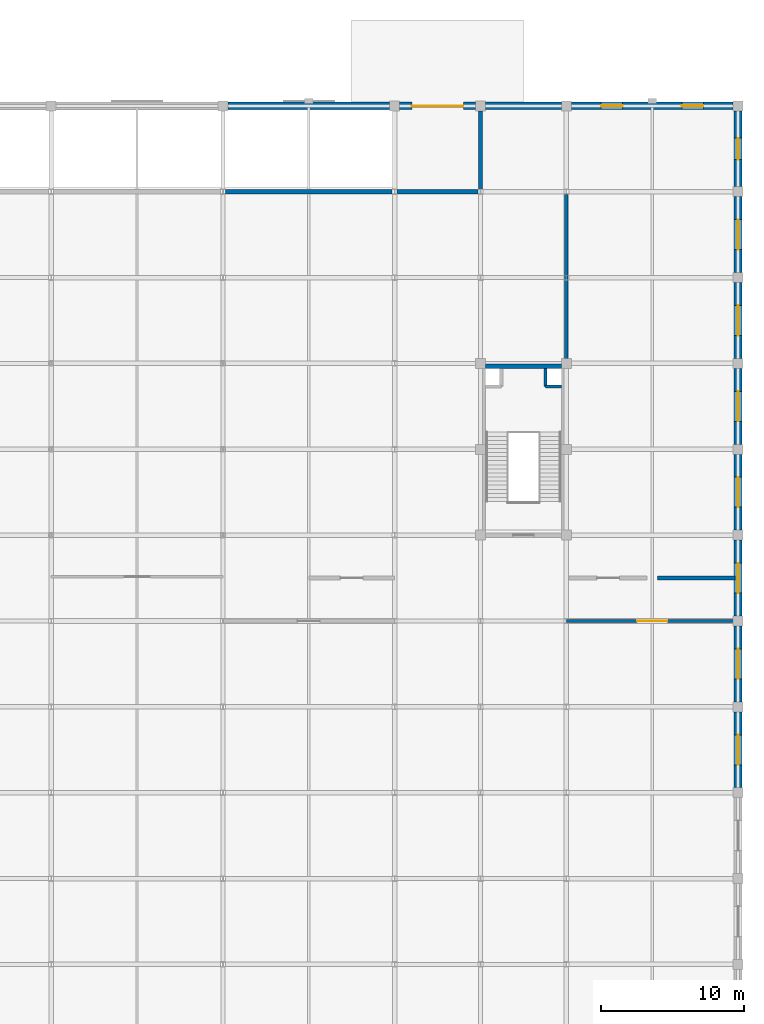
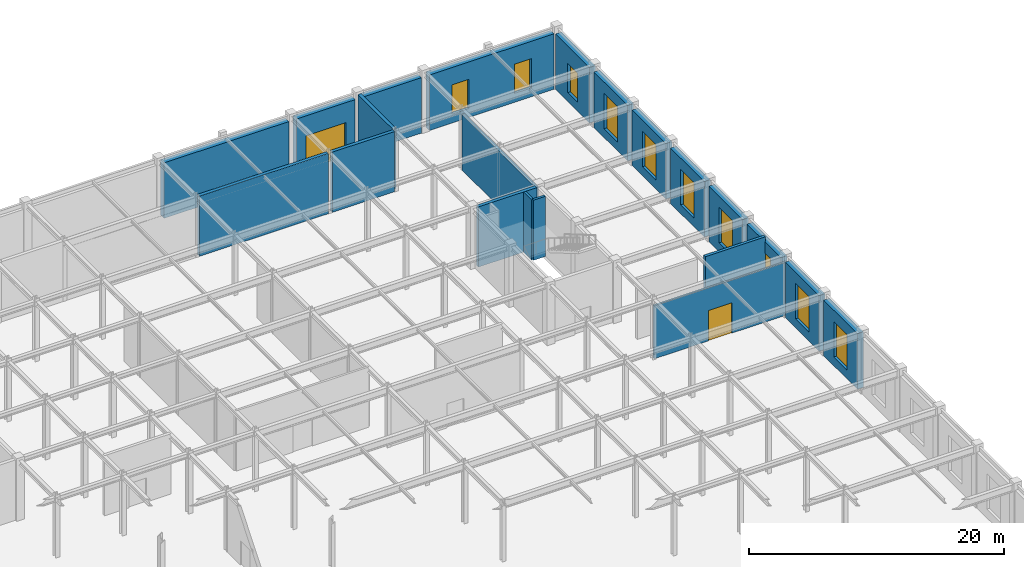
# One storey, part 48 of 51: 21 walls, 10 windows, 2 doors, 12 openings.
"""IFC4 building model written with IfcOpenShell, lengths in metres."""

from ifc_helpers import new_model, si_unit, direction, frame, frame_2d, origin, place, context, subcontext, project, spatial, rectangle, extrude, material, layer, layer_set, type_object, element, fill, save


model = new_model("IFC4")

# Units and contexts
model_context = context("Model", 3, precision=1e-05, world=origin(), true_north=direction((0.0, 1.0)))
body_context = subcontext(model_context, "Body", "Model", "MODEL_VIEW")
ifc_project = project(units=[si_unit("LENGTHUNIT", "METRE"), si_unit("AREAUNIT", "SQUARE_METRE"), si_unit("VOLUMEUNIT", "CUBIC_METRE"), si_unit("PLANEANGLEUNIT", "RADIAN"), si_unit("MASSUNIT", "GRAM", prefix="KILO")], contexts=[model_context])

# Site, building, storey
site_placement = place(None, origin())
site = spatial("IfcSite", under=ifc_project, at=site_placement, CompositionType="ELEMENT")
building_placement = place(site_placement, origin())
building = spatial("IfcBuilding", under=site, at=building_placement, Name="Zlatovratsky Civic Hall", CompositionType="ELEMENT")
storey_placement = place(building_placement, origin())
storey = spatial("IfcBuildingStorey", under=building, at=storey_placement, Name="L01", CompositionType="ELEMENT", Elevation=0.0)

# Wall, opening, door
ifc_material_1 = material(Name="Acoustic ceramic blockwork", Category="masonry")
ifc_layer_1 = layer(ifc_material_1, 0.179931640625)
ifc_layer_set_1 = layer_set([ifc_layer_1], Name="Acoustic ceramic blockwork")
wall_type_1 = type_object("IfcWallType", Name="Wall_AcousticChamberPartition_180", PredefinedType="PARTITIONING", material=ifc_layer_set_1)
wall_1_placement = place(storey_placement, frame((156.0, 78.0, 0.0), z_axis=(0.0, 0.0, 1.0), x_axis=(1.0, 0.0, 0.0)))
wall_1 = element("IfcWall", 1, at=wall_1_placement, inside=storey, type_object=wall_type_1, Name="WL-6067", PredefinedType="PARTITIONING", context=body_context, shape_type="SweptSolid", body=[
    extrude(rectangle(XDim=12.0, YDim=0.179931640625, at=frame_2d((6.0, 0.0))), origin(), (0.0, 0.0, 1.0), 5.076904296875),
])
opening_1_placement = place(wall_1_placement, frame((4.949951171875, 0.0, 0.0)))
opening_1 = element("IfcOpeningElement", 2, at=opening_1_placement, cuts=wall_1, Name="Opening D-11", PredefinedType="OPENING", context=body_context, shape_type="SweptSolid", body=[
    extrude(rectangle(XDim=2.10009765625, YDim=2.89990234375, at=frame_2d((1.050048828125, 1.449951171875))), frame((0.0, 0.10498046875, 0.0), z_axis=(0.0, -1.0, 0.0), x_axis=(1.0, 0.0, 0.0)), (0.0, 0.0, 1.0), 0.209716796875),
])
ifc_material_2 = material(Name="Solid oak joinery in steel frame", Category="steel")
door_type_1 = type_object("IfcDoorType", Name="Door_ChamberFoyerDouble_2100x2900", OperationType="DOUBLE_DOOR_SINGLE_SWING", PredefinedType="DOOR", material=ifc_material_2)
door_1_placement = place(opening_1_placement, origin())
door_1 = element("IfcDoor", 3, at=door_1_placement, inside=storey, type_object=door_type_1, Name="DR-5228", OperationType="DOUBLE_DOOR_SINGLE_SWING", OverallHeight=2.89990234375, OverallWidth=2.10009765625, PredefinedType="DOOR", context=body_context, shape_type="SweptSolid", body=[
    extrude(rectangle(XDim=2.10009765625, YDim=2.89990234375, at=frame_2d((1.050048828125, 1.449951171875))), frame((0.0, 0.02490234375, 0.0), z_axis=(0.0, -1.0, 0.0), x_axis=(1.0, 0.0, 0.0)), (0.0, 0.0, 1.0), 0.050048828125),
])
fill(opening_1, door_1)

# Walls
ifc_layer_2 = layer(ifc_material_1, 0.260009765625)
ifc_layer_set_2 = layer_set([ifc_layer_2], Name="Acoustic ceramic blockwork")
wall_type_2 = type_object("IfcWallType", Name="Wall_ArchiveCompartment_260", PredefinedType="PARTITIONING", material=ifc_layer_set_2)
wall_2_placement = place(storey_placement, frame((162.35009765625, 81.0, 0.0), z_axis=(0.0, 0.0, 1.0), x_axis=(1.0, 0.0, 0.0)))
element("IfcWall", 4, at=wall_2_placement, inside=storey, type_object=wall_type_2, Name="WL-6100", PredefinedType="PARTITIONING", context=body_context, shape_type="SweptSolid", body=[
    extrude(rectangle(XDim=5.449951171875, YDim=0.260009765625, at=frame_2d((2.72509765625, 0.0))), origin(), (0.0, 0.0, 1.0), 5.760009765625),
])
wall_3_placement = place(storey_placement, frame((156.0, 96.199951171875, 0.0), z_axis=(0.0, 0.0, 1.0), x_axis=(0.0, 1.0, 0.0)))
element("IfcWall", 5, at=wall_3_placement, inside=storey, type_object=wall_type_2, Name="WL-6102", PredefinedType="PARTITIONING", context=body_context, shape_type="SweptSolid", body=[
    extrude(rectangle(XDim=11.60009765625, YDim=0.260009765625, at=frame_2d((5.800048828125, 0.0))), origin(), (0.0, 0.0, 1.0), 5.320068359375),
])
ifc_layer_3 = layer(ifc_material_1, 0.39990234375, Name="Backing")
ifc_material_3 = material(Name="Polished Karelian granite ashlar", Category="masonry")
ifc_layer_4 = layer(ifc_material_3, 0.139892578125, Name="Finish")
ifc_layer_set_3 = layer_set([ifc_layer_3, ifc_layer_4], Name="Acoustic ceramic blockwork")
wall_type_3 = type_object("IfcWallType", Name="Wall_PodiumGraniteArcade_540", PredefinedType="SOLIDWALL", material=ifc_layer_set_3)
wall_4_placement = place(storey_placement, frame((132.35009765625, 114.0, 0.0), z_axis=(0.0, 0.0, 1.0), x_axis=(1.0, 0.0, 0.0)))
element("IfcWall", 6, at=wall_4_placement, inside=storey, type_object=wall_type_3, Name="WL-0122", PredefinedType="SOLIDWALL", context=body_context, shape_type="SweptSolid", body=[
    extrude(rectangle(XDim=11.2998046875, YDim=0.5400390625, at=frame_2d((5.64990234375, 0.0))), origin(), (0.0, 0.0, 1.0), 5.31005859375),
])

# Wall, opening, door
wall_5_placement = place(storey_placement, frame((144.35009765625, 114.0, 0.0), z_axis=(0.0, 0.0, 1.0), x_axis=(1.0, 0.0, 0.0)))
wall_5 = element("IfcWall", 7, at=wall_5_placement, inside=storey, type_object=wall_type_3, Name="WL-0123", PredefinedType="SOLIDWALL", context=body_context, shape_type="SweptSolid", body=[
    extrude(rectangle(XDim=5.2998046875, YDim=0.5400390625, at=frame_2d((2.64990234375, 0.0))), origin(), (0.0, 0.0, 1.0), 5.31005859375),
])
opening_2_placement = place(wall_5_placement, frame((0.85009765625, 0.0, 0.0)))
opening_2 = element("IfcOpeningElement", 8, at=opening_2_placement, cuts=wall_5, Name="Opening G-01", PredefinedType="OPENING", context=body_context, shape_type="SweptSolid", body=[
    extrude(rectangle(XDim=3.60009765625, YDim=3.39990234375, at=frame_2d((1.800048828125, 1.699951171875))), frame((0.0, 0.284912109375, 0.0), z_axis=(0.0, -1.0, 0.0), x_axis=(1.0, 0.0, 0.0)), (0.0, 0.0, 1.0), 0.56982421875),
])
ifc_material_4 = material(Name="Galvanised insulated roller shutter")
door_type_2 = type_object("IfcDoorType", Name="Gate_LoadingVehicleShutter_3600x3400", OperationType="ROLLINGUP", PredefinedType="GATE", material=ifc_material_4)
door_2_placement = place(opening_2_placement, origin())
door_2 = element("IfcDoor", 9, at=door_2_placement, inside=storey, type_object=door_type_2, Name="DR-0014", OperationType="ROLLINGUP", OverallHeight=3.39990234375, OverallWidth=3.60009765625, PredefinedType="GATE", context=body_context, shape_type="SweptSolid", body=[
    extrude(rectangle(XDim=3.60009765625, YDim=3.39990234375, at=frame_2d((1.800048828125, 1.699951171875))), frame((0.0, 0.02490234375, 0.0), z_axis=(0.0, -1.0, 0.0), x_axis=(1.0, 0.0, 0.0)), (0.0, 0.0, 1.0), 0.050048828125),
])
fill(opening_2, door_2)

# Wall
wall_6_placement = place(storey_placement, frame((150.35009765625, 114.0, 0.0), z_axis=(0.0, 0.0, 1.0), x_axis=(1.0, 0.0, 0.0)))
element("IfcWall", 10, at=wall_6_placement, inside=storey, type_object=wall_type_3, Name="WL-0124", PredefinedType="SOLIDWALL", context=body_context, shape_type="SweptSolid", body=[
    extrude(rectangle(XDim=5.2998046875, YDim=0.5400390625, at=frame_2d((2.64990234375, 0.0))), origin(), (0.0, 0.0, 1.0), 5.31005859375),
])

# Wall, openings, windows
wall_7_placement = place(storey_placement, frame((156.35009765625, 114.0, 0.0), z_axis=(0.0, 0.0, 1.0), x_axis=(1.0, 0.0, 0.0)))
wall_7 = element("IfcWall", 11, at=wall_7_placement, inside=storey, type_object=wall_type_3, Name="WL-0125", PredefinedType="SOLIDWALL", context=body_context, shape_type="SweptSolid", body=[
    extrude(rectangle(XDim=11.2998046875, YDim=0.5400390625, at=frame_2d((5.64990234375, 0.0))), origin(), (0.0, 0.0, 1.0), 5.31005859375),
])
opening_3_placement = place(wall_7_placement, frame((2.074951171875, 0.0, 0.85009765625)))
opening_3 = element("IfcOpeningElement", 12, at=opening_3_placement, cuts=wall_7, Name="Opening WN-27", PredefinedType="OPENING", context=body_context, shape_type="SweptSolid", body=[
    extrude(rectangle(XDim=1.5, YDim=2.800048828125, at=frame_2d((0.75, 1.39990234375))), frame((0.0, 0.284912109375, 0.0), z_axis=(0.0, -1.0, 0.0), x_axis=(1.0, 0.0, 0.0)), (0.0, 0.0, 1.0), 0.56982421875),
])
opening_4_placement = place(wall_7_placement, frame((7.72509765625, 0.0, 0.85009765625)))
opening_4 = element("IfcOpeningElement", 13, at=opening_4_placement, cuts=wall_7, Name="Opening WN-27", PredefinedType="OPENING", context=body_context, shape_type="SweptSolid", body=[
    extrude(rectangle(XDim=1.5, YDim=2.800048828125, at=frame_2d((0.75, 1.39990234375))), frame((0.0, 0.284912109375, 0.0), z_axis=(0.0, -1.0, 0.0), x_axis=(1.0, 0.0, 0.0)), (0.0, 0.0, 1.0), 0.56982421875),
])
ifc_material_5 = material(Name="Low-E laminated double glazing", Category="glass")
window_type_1 = type_object("IfcWindowType", Name="Window_CornerBastionPodium_1500x2800", PartitioningType="SINGLE_PANEL", PredefinedType="WINDOW", material=ifc_material_5)
window_1_placement = place(opening_3_placement, origin())
window_1 = element("IfcWindow", 14, at=window_1_placement, inside=storey, type_object=window_type_1, Name="WN-0037", OverallHeight=2.800048828125, OverallWidth=1.5, PartitioningType="SINGLE_PANEL", PredefinedType="WINDOW", context=body_context, shape_type="SweptSolid", body=[
    extrude(rectangle(XDim=1.5, YDim=2.800048828125, at=frame_2d((0.75, 1.39990234375))), frame((0.0, 0.030029296875, 0.0), z_axis=(0.0, -1.0, 0.0), x_axis=(1.0, 0.0, 0.0)), (0.0, 0.0, 1.0), 0.06005859375),
])
fill(opening_3, window_1)
window_2_placement = place(opening_4_placement, origin())
window_2 = element("IfcWindow", 15, at=window_2_placement, inside=storey, type_object=window_type_1, Name="WN-0038", OverallHeight=2.800048828125, OverallWidth=1.5, PartitioningType="SINGLE_PANEL", PredefinedType="WINDOW", context=body_context, shape_type="SweptSolid", body=[
    extrude(rectangle(XDim=1.5, YDim=2.800048828125, at=frame_2d((0.75, 1.39990234375))), frame((0.0, 0.030029296875, 0.0), z_axis=(0.0, -1.0, 0.0), x_axis=(1.0, 0.0, 0.0)), (0.0, 0.0, 1.0), 0.06005859375),
])
fill(opening_4, window_2)

# Wall, opening, window
wall_8_placement = place(storey_placement, frame((168.0, 66.35009765625, 0.0), z_axis=(0.0, 0.0, 1.0), x_axis=(0.0, 1.0, 0.0)))
wall_8 = element("IfcWall", 16, at=wall_8_placement, inside=storey, type_object=wall_type_3, Name="WL-0159", PredefinedType="SOLIDWALL", context=body_context, shape_type="SweptSolid", body=[
    extrude(rectangle(XDim=5.2998046875, YDim=0.5400390625, at=frame_2d((2.64990234375, 0.0))), origin(), (0.0, 0.0, 1.0), 5.31005859375),
])
opening_5_placement = place(wall_8_placement, frame((1.60009765625, 0.0, 0.85009765625)))
opening_5 = element("IfcOpeningElement", 17, at=opening_5_placement, cuts=wall_8, Name="Opening WN-02", PredefinedType="OPENING", context=body_context, shape_type="SweptSolid", body=[
    extrude(rectangle(XDim=2.10009765625, YDim=3.39990234375, at=frame_2d((1.050048828125, 1.699951171875))), frame((0.0, 0.284912109375, 0.0), z_axis=(0.0, -1.0, 0.0), x_axis=(1.0, 0.0, 0.0)), (0.0, 0.0, 1.0), 0.56982421875),
])
window_type_2 = type_object("IfcWindowType", Name="Window_GroundCornerPavilion_2100x3400", PartitioningType="SINGLE_PANEL", PredefinedType="WINDOW", material=ifc_material_5)
window_3_placement = place(opening_5_placement, origin())
window_3 = element("IfcWindow", 18, at=window_3_placement, inside=storey, type_object=window_type_2, Name="WN-0069", OverallHeight=3.39990234375, OverallWidth=2.10009765625, PartitioningType="SINGLE_PANEL", PredefinedType="WINDOW", context=body_context, shape_type="SweptSolid", body=[
    extrude(rectangle(XDim=2.10009765625, YDim=3.39990234375, at=frame_2d((1.050048828125, 1.699951171875))), frame((0.0, 0.030029296875, 0.0), z_axis=(0.0, -1.0, 0.0), x_axis=(1.0, 0.0, 0.0)), (0.0, 0.0, 1.0), 0.06005859375),
])
fill(opening_5, window_3)

wall_9_placement = place(storey_placement, frame((168.0, 72.35009765625, 0.0), z_axis=(0.0, 0.0, 1.0), x_axis=(0.0, 1.0, 0.0)))
wall_9 = element("IfcWall", 19, at=wall_9_placement, inside=storey, type_object=wall_type_3, Name="WL-0160", PredefinedType="SOLIDWALL", context=body_context, shape_type="SweptSolid", body=[
    extrude(rectangle(XDim=5.2998046875, YDim=0.5400390625, at=frame_2d((2.64990234375, 0.0))), origin(), (0.0, 0.0, 1.0), 5.31005859375),
])
opening_6_placement = place(wall_9_placement, frame((1.60009765625, 0.0, 0.85009765625)))
opening_6 = element("IfcOpeningElement", 20, at=opening_6_placement, cuts=wall_9, Name="Opening WN-02", PredefinedType="OPENING", context=body_context, shape_type="SweptSolid", body=[
    extrude(rectangle(XDim=2.10009765625, YDim=3.39990234375, at=frame_2d((1.050048828125, 1.699951171875))), frame((0.0, 0.284912109375, 0.0), z_axis=(0.0, -1.0, 0.0), x_axis=(1.0, 0.0, 0.0)), (0.0, 0.0, 1.0), 0.56982421875),
])
window_4_placement = place(opening_6_placement, origin())
window_4 = element("IfcWindow", 21, at=window_4_placement, inside=storey, type_object=window_type_2, Name="WN-0070", OverallHeight=3.39990234375, OverallWidth=2.10009765625, PartitioningType="SINGLE_PANEL", PredefinedType="WINDOW", context=body_context, shape_type="SweptSolid", body=[
    extrude(rectangle(XDim=2.10009765625, YDim=3.39990234375, at=frame_2d((1.050048828125, 1.699951171875))), frame((0.0, 0.030029296875, 0.0), z_axis=(0.0, -1.0, 0.0), x_axis=(1.0, 0.0, 0.0)), (0.0, 0.0, 1.0), 0.06005859375),
])
fill(opening_6, window_4)

wall_10_placement = place(storey_placement, frame((168.0, 78.35009765625, 0.0), z_axis=(0.0, 0.0, 1.0), x_axis=(0.0, 1.0, 0.0)))
wall_10 = element("IfcWall", 22, at=wall_10_placement, inside=storey, type_object=wall_type_3, Name="WL-0161", PredefinedType="SOLIDWALL", context=body_context, shape_type="SweptSolid", body=[
    extrude(rectangle(XDim=5.2998046875, YDim=0.5400390625, at=frame_2d((2.64990234375, 0.0))), origin(), (0.0, 0.0, 1.0), 5.31005859375),
])
opening_7_placement = place(wall_10_placement, frame((1.60009765625, 0.0, 0.85009765625)))
opening_7 = element("IfcOpeningElement", 23, at=opening_7_placement, cuts=wall_10, Name="Opening WN-02", PredefinedType="OPENING", context=body_context, shape_type="SweptSolid", body=[
    extrude(rectangle(XDim=2.10009765625, YDim=3.39990234375, at=frame_2d((1.050048828125, 1.699951171875))), frame((0.0, 0.284912109375, 0.0), z_axis=(0.0, -1.0, 0.0), x_axis=(1.0, 0.0, 0.0)), (0.0, 0.0, 1.0), 0.56982421875),
])
window_5_placement = place(opening_7_placement, origin())
window_5 = element("IfcWindow", 24, at=window_5_placement, inside=storey, type_object=window_type_2, Name="WN-0071", OverallHeight=3.39990234375, OverallWidth=2.10009765625, PartitioningType="SINGLE_PANEL", PredefinedType="WINDOW", context=body_context, shape_type="SweptSolid", body=[
    extrude(rectangle(XDim=2.10009765625, YDim=3.39990234375, at=frame_2d((1.050048828125, 1.699951171875))), frame((0.0, 0.030029296875, 0.0), z_axis=(0.0, -1.0, 0.0), x_axis=(1.0, 0.0, 0.0)), (0.0, 0.0, 1.0), 0.06005859375),
])
fill(opening_7, window_5)

wall_11_placement = place(storey_placement, frame((168.0, 84.35009765625, 0.0), z_axis=(0.0, 0.0, 1.0), x_axis=(0.0, 1.0, 0.0)))
wall_11 = element("IfcWall", 25, at=wall_11_placement, inside=storey, type_object=wall_type_3, Name="WL-0162", PredefinedType="SOLIDWALL", context=body_context, shape_type="SweptSolid", body=[
    extrude(rectangle(XDim=5.2998046875, YDim=0.5400390625, at=frame_2d((2.64990234375, 0.0))), origin(), (0.0, 0.0, 1.0), 5.31005859375),
])
opening_8_placement = place(wall_11_placement, frame((1.60009765625, 0.0, 0.85009765625)))
opening_8 = element("IfcOpeningElement", 26, at=opening_8_placement, cuts=wall_11, Name="Opening WN-02", PredefinedType="OPENING", context=body_context, shape_type="SweptSolid", body=[
    extrude(rectangle(XDim=2.10009765625, YDim=3.39990234375, at=frame_2d((1.050048828125, 1.699951171875))), frame((0.0, 0.284912109375, 0.0), z_axis=(0.0, -1.0, 0.0), x_axis=(1.0, 0.0, 0.0)), (0.0, 0.0, 1.0), 0.56982421875),
])
window_6_placement = place(opening_8_placement, origin())
window_6 = element("IfcWindow", 27, at=window_6_placement, inside=storey, type_object=window_type_2, Name="WN-0072", OverallHeight=3.39990234375, OverallWidth=2.10009765625, PartitioningType="SINGLE_PANEL", PredefinedType="WINDOW", context=body_context, shape_type="SweptSolid", body=[
    extrude(rectangle(XDim=2.10009765625, YDim=3.39990234375, at=frame_2d((1.050048828125, 1.699951171875))), frame((0.0, 0.030029296875, 0.0), z_axis=(0.0, -1.0, 0.0), x_axis=(1.0, 0.0, 0.0)), (0.0, 0.0, 1.0), 0.06005859375),
])
fill(opening_8, window_6)

wall_12_placement = place(storey_placement, frame((168.0, 90.35009765625, 0.0), z_axis=(0.0, 0.0, 1.0), x_axis=(0.0, 1.0, 0.0)))
wall_12 = element("IfcWall", 28, at=wall_12_placement, inside=storey, type_object=wall_type_3, Name="WL-0163", PredefinedType="SOLIDWALL", context=body_context, shape_type="SweptSolid", body=[
    extrude(rectangle(XDim=5.2998046875, YDim=0.5400390625, at=frame_2d((2.64990234375, 0.0))), origin(), (0.0, 0.0, 1.0), 5.31005859375),
])
opening_9_placement = place(wall_12_placement, frame((1.60009765625, 0.0, 0.85009765625)))
opening_9 = element("IfcOpeningElement", 29, at=opening_9_placement, cuts=wall_12, Name="Opening WN-02", PredefinedType="OPENING", context=body_context, shape_type="SweptSolid", body=[
    extrude(rectangle(XDim=2.10009765625, YDim=3.39990234375, at=frame_2d((1.050048828125, 1.699951171875))), frame((0.0, 0.284912109375, 0.0), z_axis=(0.0, -1.0, 0.0), x_axis=(1.0, 0.0, 0.0)), (0.0, 0.0, 1.0), 0.56982421875),
])
window_7_placement = place(opening_9_placement, origin())
window_7 = element("IfcWindow", 30, at=window_7_placement, inside=storey, type_object=window_type_2, Name="WN-0073", OverallHeight=3.39990234375, OverallWidth=2.10009765625, PartitioningType="SINGLE_PANEL", PredefinedType="WINDOW", context=body_context, shape_type="SweptSolid", body=[
    extrude(rectangle(XDim=2.10009765625, YDim=3.39990234375, at=frame_2d((1.050048828125, 1.699951171875))), frame((0.0, 0.030029296875, 0.0), z_axis=(0.0, -1.0, 0.0), x_axis=(1.0, 0.0, 0.0)), (0.0, 0.0, 1.0), 0.06005859375),
])
fill(opening_9, window_7)

wall_13_placement = place(storey_placement, frame((168.0, 96.35009765625, 0.0), z_axis=(0.0, 0.0, 1.0), x_axis=(0.0, 1.0, 0.0)))
wall_13 = element("IfcWall", 31, at=wall_13_placement, inside=storey, type_object=wall_type_3, Name="WL-0164", PredefinedType="SOLIDWALL", context=body_context, shape_type="SweptSolid", body=[
    extrude(rectangle(XDim=5.2998046875, YDim=0.5400390625, at=frame_2d((2.64990234375, 0.0))), origin(), (0.0, 0.0, 1.0), 5.31005859375),
])
opening_10_placement = place(wall_13_placement, frame((1.60009765625, 0.0, 0.85009765625)))
opening_10 = element("IfcOpeningElement", 32, at=opening_10_placement, cuts=wall_13, Name="Opening WN-02", PredefinedType="OPENING", context=body_context, shape_type="SweptSolid", body=[
    extrude(rectangle(XDim=2.10009765625, YDim=3.39990234375, at=frame_2d((1.050048828125, 1.699951171875))), frame((0.0, 0.284912109375, 0.0), z_axis=(0.0, -1.0, 0.0), x_axis=(1.0, 0.0, 0.0)), (0.0, 0.0, 1.0), 0.56982421875),
])
window_8_placement = place(opening_10_placement, origin())
window_8 = element("IfcWindow", 33, at=window_8_placement, inside=storey, type_object=window_type_2, Name="WN-0074", OverallHeight=3.39990234375, OverallWidth=2.10009765625, PartitioningType="SINGLE_PANEL", PredefinedType="WINDOW", context=body_context, shape_type="SweptSolid", body=[
    extrude(rectangle(XDim=2.10009765625, YDim=3.39990234375, at=frame_2d((1.050048828125, 1.699951171875))), frame((0.0, 0.030029296875, 0.0), z_axis=(0.0, -1.0, 0.0), x_axis=(1.0, 0.0, 0.0)), (0.0, 0.0, 1.0), 0.06005859375),
])
fill(opening_10, window_8)

wall_14_placement = place(storey_placement, frame((168.0, 102.35009765625, 0.0), z_axis=(0.0, 0.0, 1.0), x_axis=(0.0, 1.0, 0.0)))
wall_14 = element("IfcWall", 34, at=wall_14_placement, inside=storey, type_object=wall_type_3, Name="WL-0165", PredefinedType="SOLIDWALL", context=body_context, shape_type="SweptSolid", body=[
    extrude(rectangle(XDim=5.2998046875, YDim=0.5400390625, at=frame_2d((2.64990234375, 0.0))), origin(), (0.0, 0.0, 1.0), 5.31005859375),
])
opening_11_placement = place(wall_14_placement, frame((1.60009765625, 0.0, 0.85009765625)))
opening_11 = element("IfcOpeningElement", 35, at=opening_11_placement, cuts=wall_14, Name="Opening WN-02", PredefinedType="OPENING", context=body_context, shape_type="SweptSolid", body=[
    extrude(rectangle(XDim=2.10009765625, YDim=3.39990234375, at=frame_2d((1.050048828125, 1.699951171875))), frame((0.0, 0.284912109375, 0.0), z_axis=(0.0, -1.0, 0.0), x_axis=(1.0, 0.0, 0.0)), (0.0, 0.0, 1.0), 0.56982421875),
])
window_9_placement = place(opening_11_placement, origin())
window_9 = element("IfcWindow", 36, at=window_9_placement, inside=storey, type_object=window_type_2, Name="WN-0075", OverallHeight=3.39990234375, OverallWidth=2.10009765625, PartitioningType="SINGLE_PANEL", PredefinedType="WINDOW", context=body_context, shape_type="SweptSolid", body=[
    extrude(rectangle(XDim=2.10009765625, YDim=3.39990234375, at=frame_2d((1.050048828125, 1.699951171875))), frame((0.0, 0.030029296875, 0.0), z_axis=(0.0, -1.0, 0.0), x_axis=(1.0, 0.0, 0.0)), (0.0, 0.0, 1.0), 0.06005859375),
])
fill(opening_11, window_9)

wall_15_placement = place(storey_placement, frame((168.0, 108.35009765625, 0.0), z_axis=(0.0, 0.0, 1.0), x_axis=(0.0, 1.0, 0.0)))
wall_15 = element("IfcWall", 37, at=wall_15_placement, inside=storey, type_object=wall_type_3, Name="WL-0166", PredefinedType="SOLIDWALL", context=body_context, shape_type="SweptSolid", body=[
    extrude(rectangle(XDim=5.2998046875, YDim=0.5400390625, at=frame_2d((2.64990234375, 0.0))), origin(), (0.0, 0.0, 1.0), 5.31005859375),
])
opening_12_placement = place(wall_15_placement, frame((1.89990234375, 0.0, 0.85009765625)))
opening_12 = element("IfcOpeningElement", 38, at=opening_12_placement, cuts=wall_15, Name="Opening WN-27", PredefinedType="OPENING", context=body_context, shape_type="SweptSolid", body=[
    extrude(rectangle(XDim=1.5, YDim=2.800048828125, at=frame_2d((0.75, 1.39990234375))), frame((0.0, 0.284912109375, 0.0), z_axis=(0.0, -1.0, 0.0), x_axis=(1.0, 0.0, 0.0)), (0.0, 0.0, 1.0), 0.56982421875),
])
window_10_placement = place(opening_12_placement, origin())
window_10 = element("IfcWindow", 39, at=window_10_placement, inside=storey, type_object=window_type_1, Name="WN-0076", OverallHeight=2.800048828125, OverallWidth=1.5, PartitioningType="SINGLE_PANEL", PredefinedType="WINDOW", context=body_context, shape_type="SweptSolid", body=[
    extrude(rectangle(XDim=1.5, YDim=2.800048828125, at=frame_2d((0.75, 1.39990234375))), frame((0.0, 0.030029296875, 0.0), z_axis=(0.0, -1.0, 0.0), x_axis=(1.0, 0.0, 0.0)), (0.0, 0.0, 1.0), 0.06005859375),
])
fill(opening_12, window_10)

# Walls
ifc_layer_5 = layer(ifc_material_1, 0.219970703125)
ifc_layer_set_4 = layer_set([ifc_layer_5], Name="Acoustic ceramic blockwork")
wall_type_4 = type_object("IfcWallType", Name="Wall_SanitaryWetCore_220", PredefinedType="PARTITIONING", material=ifc_layer_set_4)
wall_16_placement = place(storey_placement, frame((154.550048828125, 94.39990234375, 0.0), z_axis=(0.0, 0.0, 1.0), x_axis=(0.0, 1.0, 0.0)))
element("IfcWall", 40, at=wall_16_placement, inside=storey, type_object=wall_type_4, Name="WL-5443", PredefinedType="PARTITIONING", context=body_context, shape_type="SweptSolid", body=[
    extrude(rectangle(XDim=1.25, YDim=0.219970703125, at=frame_2d((0.625, 0.0))), origin(), (0.0, 0.0, 1.0), 5.760009765625),
])
wall_17_placement = place(storey_placement, frame((154.550048828125, 94.39990234375, 0.0), z_axis=(0.0, 0.0, 1.0), x_axis=(1.0, 0.0, 0.0)))
element("IfcWall", 41, at=wall_17_placement, inside=storey, type_object=wall_type_4, Name="WL-5444", PredefinedType="PARTITIONING", context=body_context, shape_type="SweptSolid", body=[
    extrude(rectangle(XDim=1.099853515625, YDim=0.219970703125, at=frame_2d((0.5498046875, 0.0))), origin(), (0.0, 0.0, 1.0), 5.760009765625),
])
ifc_material_6 = material(Name="Concrete C35/45 (B40)", Category="concrete")
ifc_layer_6 = layer(ifc_material_6, 0.300048828125)
ifc_layer_set_5 = layer_set([ifc_layer_6], Name="Concrete C35/45 (B40)")
wall_type_5 = type_object("IfcWallType", Name="Wall_StairAndLiftShaft_300", PredefinedType="SHEAR", material=ifc_layer_set_5)
wall_18_placement = place(storey_placement, frame((132.175048828125, 108.0, 0.0), z_axis=(0.0, 0.0, 1.0), x_axis=(1.0, 0.0, 0.0)))
element("IfcWall", 42, at=wall_18_placement, inside=storey, type_object=wall_type_5, Name="WL-0722", PredefinedType="SHEAR", context=body_context, shape_type="SweptSolid", body=[
    extrude(rectangle(XDim=11.64990234375, YDim=0.300048828125, at=frame_2d((5.824951171875, 0.0))), origin(), (0.0, 0.0, 1.0), 5.760009765625),
])
wall_19_placement = place(storey_placement, frame((144.175048828125, 108.0, 0.0), z_axis=(0.0, 0.0, 1.0), x_axis=(1.0, 0.0, 0.0)))
element("IfcWall", 43, at=wall_19_placement, inside=storey, type_object=wall_type_5, Name="WL-0723", PredefinedType="SHEAR", context=body_context, shape_type="SweptSolid", body=[
    extrude(rectangle(XDim=5.64990234375, YDim=0.300048828125, at=frame_2d((2.824951171875, 0.0))), origin(), (0.0, 0.0, 1.0), 5.760009765625),
])
wall_20_placement = place(storey_placement, frame((150.0, 108.17138671875, 0.0), z_axis=(0.0, 0.0, 1.0), x_axis=(0.0, 1.0, 0.0)))
element("IfcWall", 44, at=wall_20_placement, inside=storey, type_object=wall_type_5, Name="WL-0725", PredefinedType="SHEAR", context=body_context, shape_type="SweptSolid", body=[
    extrude(rectangle(XDim=5.478515625, YDim=0.300048828125, at=frame_2d((2.7392578125, 0.0))), origin(), (0.0, 0.0, 1.0), 5.760009765625),
])
wall_21_placement = place(storey_placement, frame((150.35009765625, 95.800048828125, 0.0), z_axis=(0.0, 0.0, 1.0), x_axis=(1.0, 0.0, 0.0)))
element("IfcWall", 45, at=wall_21_placement, inside=storey, type_object=wall_type_5, Name="WL-5438", PredefinedType="SHEAR", context=body_context, shape_type="SweptSolid", body=[
    extrude(rectangle(XDim=5.2998046875, YDim=0.300048828125, at=frame_2d((2.64990234375, 0.0))), origin(), (0.0, 0.0, 1.0), 5.760009765625),
])

save(model, "model.ifc")
